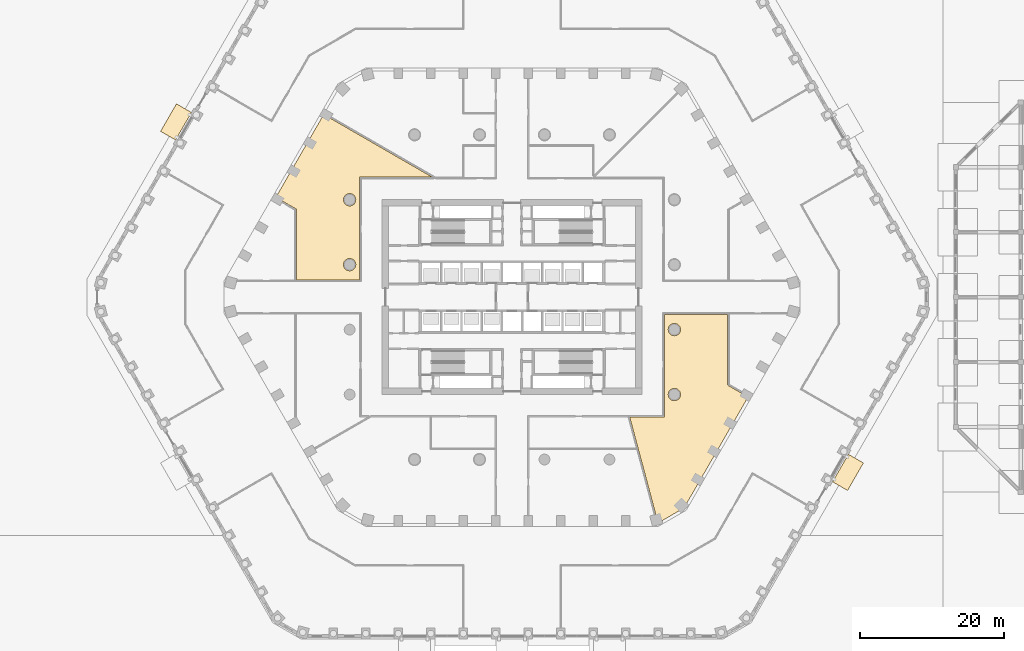
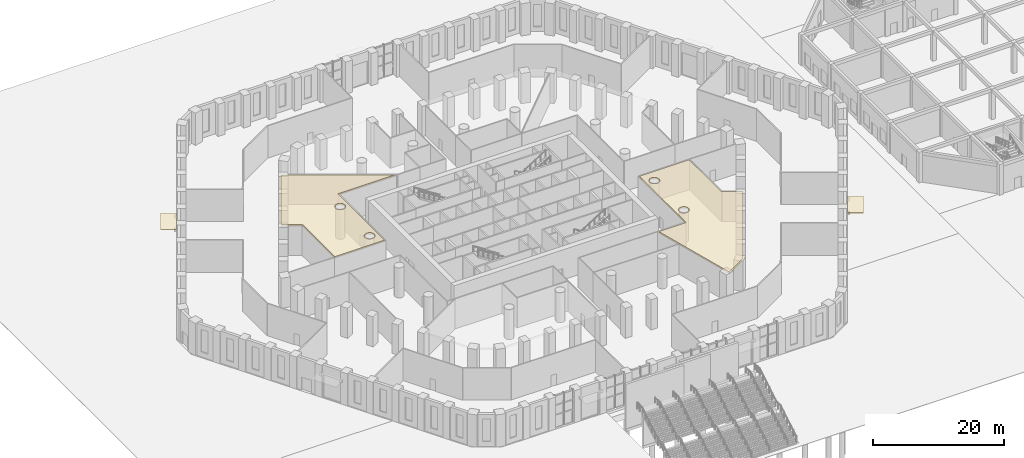
# One storey, part 35 of 44: 4 coverings.
"""IFC4 building model written with IfcOpenShell, lengths in metres."""

from ifc_helpers import new_model, si_unit, direction, frame, origin, origin_2d, place, context, subcontext, project, spatial, polyline, rectangle, outline, extrude, material, layer, layer_set, type_object, element, save


model = new_model("IFC4")

# Units and contexts
model_context = context("Model", 3, precision=1e-05, world=origin(), true_north=direction((0.0, 1.0)))
body_context = subcontext(model_context, "Body", "Model", "MODEL_VIEW")
ifc_project = project(units=[si_unit("LENGTHUNIT", "METRE"), si_unit("AREAUNIT", "SQUARE_METRE"), si_unit("VOLUMEUNIT", "CUBIC_METRE"), si_unit("PLANEANGLEUNIT", "RADIAN"), si_unit("MASSUNIT", "GRAM", prefix="KILO")], contexts=[model_context])

# Site, building, storey
site_placement = place(None, origin())
site = spatial("IfcSite", under=ifc_project, at=site_placement, CompositionType="ELEMENT")
building_placement = place(site_placement, origin())
building = spatial("IfcBuilding", under=site, at=building_placement, Name="Dhurran Vertical Campus", CompositionType="ELEMENT")
storey_placement = place(building_placement, origin())
storey = spatial("IfcBuildingStorey", under=building, at=storey_placement, Name="L00", CompositionType="ELEMENT", Elevation=0.0)

# Coverings
ifc_material_1 = material(Name="Precast concrete C50/60", Category="concrete")
ifc_layer_1 = layer(ifc_material_1, 0.14990234375)
ifc_layer_set_1 = layer_set([ifc_layer_1], Name="Precast concrete C50/60")
covering_type_1 = type_object("IfcCoveringType", Name="Entrance canopy precast 150", PredefinedType="USERDEFINED", material=ifc_layer_set_1)
for number, where, z_axis, x_axis, name in (
    (1, (46.561279296875, -24.2841796875, 4.60009765625), (0.0, 0.0, 1.0), (0.5, 0.866025403784, 0.0), "CN1 D005 entrance canopy"),
    (2, (-46.561279296875, 24.2841796875, 4.60009765625), (0.0, 0.0, 1.0), (-0.5, -0.866025403784, 0.0), "CN1 D012 entrance canopy"),
):
    element("IfcCovering", number, at=place(storey_placement, frame(where, z_axis=z_axis, x_axis=x_axis)), inside=storey, type_object=covering_type_1, Name=name, ObjectType="CANOPY", PredefinedType="USERDEFINED", context=body_context, shape_type="SweptSolid", body=[
        extrude(rectangle(XDim=4.39990234375, YDim=2.39990234375, at=origin_2d()), origin(), (0.0, 0.0, 1.0), 0.14990234375),
    ])
ifc_material_2 = material(Name="Mineral fibre ceiling tiles on suspended grid")
ifc_layer_2 = layer(ifc_material_2, 0.35009765625)
ifc_layer_set_2 = layer_set([ifc_layer_2], Name="Mineral fibre ceiling tiles on suspended grid")
covering_type_2 = type_object("IfcCoveringType", Name="fl-CE-350 suspended ceiling", PredefinedType="CEILING", material=ifc_layer_set_2)
covering_1_placement = place(storey_placement, frame((0.0, 0.0, 5.25)))
element("IfcCovering", 3, at=covering_1_placement, inside=storey, type_object=covering_type_2, Name="Ceiling 00-21", PredefinedType="CEILING", context=body_context, shape_type="SweptSolid", body=[
    extrude(outline(polyline([(-29.8798828125, 12.193115234375), (-32.722900390625, 13.8349609375), (-26.093017578125, 25.319091796875), (-11.027099609375, 16.6201171875), (-21.1201171875, 16.6201171875), (-21.1201171875, 2.3701171875), (-29.8798828125, 2.3701171875), (-29.8798828125, 12.193115234375)]), holes=[polyline([(-22.333984375, 5.333984375), (-22.4169921875, 5.345947265625), (-22.5, 5.35009765625), (-22.5830078125, 5.345947265625), (-22.666015625, 5.333984375), (-22.7470703125, 5.31298828125), (-22.824951171875, 5.284912109375), (-22.90087890625, 5.25), (-22.971923828125, 5.20703125), (-23.0390625, 5.156982421875), (-23.10107421875, 5.10107421875), (-23.156982421875, 5.0390625), (-23.20703125, 4.971923828125), (-23.25, 4.90087890625), (-23.284912109375, 4.824951171875), (-23.31298828125, 4.7470703125), (-23.333984375, 4.666015625), (-23.345947265625, 4.5830078125), (-23.35009765625, 4.5), (-23.345947265625, 4.4169921875), (-23.333984375, 4.333984375), (-23.31298828125, 4.2529296875), (-23.284912109375, 4.175048828125), (-23.25, 4.09912109375), (-23.20703125, 4.028076171875), (-23.156982421875, 3.9609375), (-23.10107421875, 3.89892578125), (-23.0390625, 3.843017578125), (-22.971923828125, 3.79296875), (-22.90087890625, 3.75), (-22.824951171875, 3.715087890625), (-22.7470703125, 3.68701171875), (-22.666015625, 3.666015625), (-22.5830078125, 3.654052734375), (-22.5, 3.64990234375), (-22.4169921875, 3.654052734375), (-22.333984375, 3.666015625), (-22.2529296875, 3.68701171875), (-22.175048828125, 3.715087890625), (-22.09912109375, 3.75), (-22.028076171875, 3.79296875), (-21.9609375, 3.843017578125), (-21.89892578125, 3.89892578125), (-21.843017578125, 3.9609375), (-21.79296875, 4.028076171875), (-21.75, 4.09912109375), (-21.715087890625, 4.175048828125), (-21.68701171875, 4.2529296875), (-21.666015625, 4.333984375), (-21.654052734375, 4.4169921875), (-21.64990234375, 4.5), (-21.654052734375, 4.5830078125), (-21.666015625, 4.666015625), (-21.68701171875, 4.7470703125), (-21.715087890625, 4.824951171875), (-21.75, 4.90087890625), (-21.79296875, 4.971923828125), (-21.843017578125, 5.0390625), (-21.89892578125, 5.10107421875), (-21.9609375, 5.156982421875), (-22.028076171875, 5.20703125), (-22.09912109375, 5.25), (-22.175048828125, 5.284912109375), (-22.2529296875, 5.31298828125), (-22.333984375, 5.333984375)]), polyline([(-22.2529296875, 14.31298828125), (-22.333984375, 14.333984375), (-22.4169921875, 14.345947265625), (-22.5, 14.35009765625), (-22.5830078125, 14.345947265625), (-22.666015625, 14.333984375), (-22.7470703125, 14.31298828125), (-22.824951171875, 14.284912109375), (-22.90087890625, 14.25), (-22.971923828125, 14.20703125), (-23.0390625, 14.156982421875), (-23.10107421875, 14.10107421875), (-23.156982421875, 14.0390625), (-23.20703125, 13.971923828125), (-23.25, 13.90087890625), (-23.284912109375, 13.824951171875), (-23.31298828125, 13.7470703125), (-23.333984375, 13.666015625), (-23.345947265625, 13.5830078125), (-23.35009765625, 13.5), (-23.345947265625, 13.4169921875), (-23.333984375, 13.333984375), (-23.31298828125, 13.2529296875), (-23.284912109375, 13.175048828125), (-23.25, 13.09912109375), (-23.20703125, 13.028076171875), (-23.156982421875, 12.9609375), (-23.10107421875, 12.89892578125), (-23.0390625, 12.843017578125), (-22.971923828125, 12.79296875), (-22.90087890625, 12.75), (-22.824951171875, 12.715087890625), (-22.7470703125, 12.68701171875), (-22.666015625, 12.666015625), (-22.5830078125, 12.654052734375), (-22.5, 12.64990234375), (-22.4169921875, 12.654052734375), (-22.333984375, 12.666015625), (-22.2529296875, 12.68701171875), (-22.175048828125, 12.715087890625), (-22.09912109375, 12.75), (-22.028076171875, 12.79296875), (-21.9609375, 12.843017578125), (-21.89892578125, 12.89892578125), (-21.843017578125, 12.9609375), (-21.79296875, 13.028076171875), (-21.75, 13.09912109375), (-21.715087890625, 13.175048828125), (-21.68701171875, 13.2529296875), (-21.666015625, 13.333984375), (-21.654052734375, 13.4169921875), (-21.64990234375, 13.5), (-21.654052734375, 13.5830078125), (-21.666015625, 13.666015625), (-21.68701171875, 13.7470703125), (-21.715087890625, 13.824951171875), (-21.75, 13.90087890625), (-21.79296875, 13.971923828125), (-21.843017578125, 14.0390625), (-21.89892578125, 14.10107421875), (-21.9609375, 14.156982421875), (-22.028076171875, 14.20703125), (-22.09912109375, 14.25), (-22.175048828125, 14.284912109375), (-22.2529296875, 14.31298828125)])]), origin(), (0.0, 0.0, 1.0), 0.35009765625),
])
covering_2_placement = place(storey_placement, frame((0.0, 0.0, 5.25)))
element("IfcCovering", 4, at=covering_2_placement, inside=storey, type_object=covering_type_2, Name="Ceiling 00-32", PredefinedType="CEILING", context=body_context, shape_type="SweptSolid", body=[
    extrude(outline(polyline([(23.839111328125, -29.221923828125), (20.2451171875, -31.298095703125), (16.31201171875, -16.6201171875), (21.1201171875, -16.6201171875), (21.1201171875, -2.3701171875), (29.8798828125, -2.3701171875), (29.8798828125, -12.193115234375), (32.722900390625, -13.8349609375), (23.839111328125, -29.221923828125)]), holes=[polyline([(23.284912109375, -13.175048828125), (23.25, -13.09912109375), (23.20703125, -13.028076171875), (23.156982421875, -12.9609375), (23.10107421875, -12.89892578125), (23.0390625, -12.843017578125), (22.971923828125, -12.79296875), (22.90087890625, -12.75), (22.824951171875, -12.715087890625), (22.7470703125, -12.68701171875), (22.666015625, -12.666015625), (22.5830078125, -12.654052734375), (22.5, -12.64990234375), (22.4169921875, -12.654052734375), (22.333984375, -12.666015625), (22.2529296875, -12.68701171875), (22.175048828125, -12.715087890625), (22.09912109375, -12.75), (22.028076171875, -12.79296875), (21.9609375, -12.843017578125), (21.89892578125, -12.89892578125), (21.843017578125, -12.9609375), (21.79296875, -13.028076171875), (21.75, -13.09912109375), (21.715087890625, -13.175048828125), (21.68701171875, -13.2529296875), (21.666015625, -13.333984375), (21.654052734375, -13.4169921875), (21.64990234375, -13.5), (21.654052734375, -13.5830078125), (21.666015625, -13.666015625), (21.68701171875, -13.7470703125), (21.715087890625, -13.824951171875), (21.75, -13.90087890625), (21.79296875, -13.971923828125), (21.843017578125, -14.0390625), (21.89892578125, -14.10107421875), (21.9609375, -14.156982421875), (22.028076171875, -14.20703125), (22.09912109375, -14.25), (22.175048828125, -14.284912109375), (22.2529296875, -14.31298828125), (22.333984375, -14.333984375), (22.4169921875, -14.345947265625), (22.5, -14.35009765625), (22.5830078125, -14.345947265625), (22.666015625, -14.333984375), (22.7470703125, -14.31298828125), (22.824951171875, -14.284912109375), (22.90087890625, -14.25), (22.971923828125, -14.20703125), (23.0390625, -14.156982421875), (23.10107421875, -14.10107421875), (23.156982421875, -14.0390625), (23.20703125, -13.971923828125), (23.25, -13.90087890625), (23.284912109375, -13.824951171875), (23.31298828125, -13.7470703125), (23.333984375, -13.666015625), (23.345947265625, -13.5830078125), (23.35009765625, -13.5), (23.345947265625, -13.4169921875), (23.333984375, -13.333984375), (23.31298828125, -13.2529296875), (23.284912109375, -13.175048828125)]), polyline([(23.31298828125, -4.2529296875), (23.284912109375, -4.175048828125), (23.25, -4.09912109375), (23.20703125, -4.028076171875), (23.156982421875, -3.9609375), (23.10107421875, -3.89892578125), (23.0390625, -3.843017578125), (22.971923828125, -3.79296875), (22.90087890625, -3.75), (22.824951171875, -3.715087890625), (22.7470703125, -3.68701171875), (22.666015625, -3.666015625), (22.5830078125, -3.654052734375), (22.5, -3.64990234375), (22.4169921875, -3.654052734375), (22.333984375, -3.666015625), (22.2529296875, -3.68701171875), (22.175048828125, -3.715087890625), (22.09912109375, -3.75), (22.028076171875, -3.79296875), (21.9609375, -3.843017578125), (21.89892578125, -3.89892578125), (21.843017578125, -3.9609375), (21.79296875, -4.028076171875), (21.75, -4.09912109375), (21.715087890625, -4.175048828125), (21.68701171875, -4.2529296875), (21.666015625, -4.333984375), (21.654052734375, -4.4169921875), (21.64990234375, -4.5), (21.654052734375, -4.5830078125), (21.666015625, -4.666015625), (21.68701171875, -4.7470703125), (21.715087890625, -4.824951171875), (21.75, -4.90087890625), (21.79296875, -4.971923828125), (21.843017578125, -5.0390625), (21.89892578125, -5.10107421875), (21.9609375, -5.156982421875), (22.028076171875, -5.20703125), (22.09912109375, -5.25), (22.175048828125, -5.284912109375), (22.2529296875, -5.31298828125), (22.333984375, -5.333984375), (22.4169921875, -5.345947265625), (22.5, -5.35009765625), (22.5830078125, -5.345947265625), (22.666015625, -5.333984375), (22.7470703125, -5.31298828125), (22.824951171875, -5.284912109375), (22.90087890625, -5.25), (22.971923828125, -5.20703125), (23.0390625, -5.156982421875), (23.10107421875, -5.10107421875), (23.156982421875, -5.0390625), (23.20703125, -4.971923828125), (23.25, -4.90087890625), (23.284912109375, -4.824951171875), (23.31298828125, -4.7470703125), (23.333984375, -4.666015625), (23.345947265625, -4.5830078125), (23.35009765625, -4.5), (23.345947265625, -4.4169921875), (23.333984375, -4.333984375), (23.31298828125, -4.2529296875)])]), origin(), (0.0, 0.0, 1.0), 0.35009765625),
])

save(model, "model.ifc")
